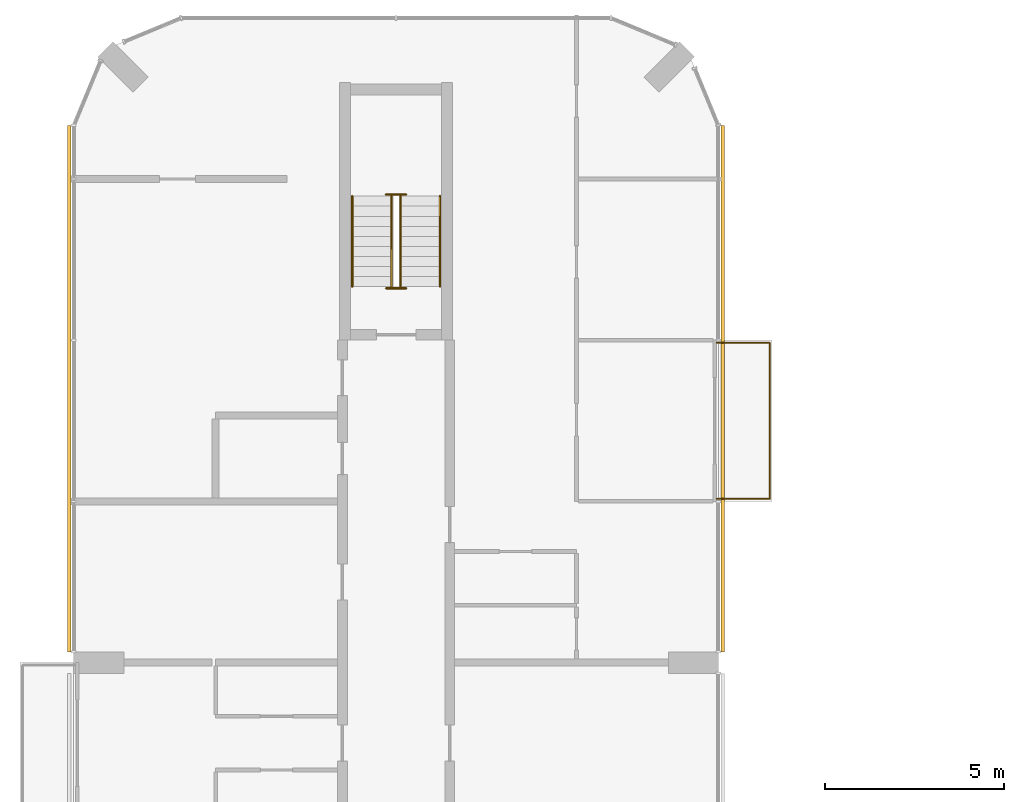
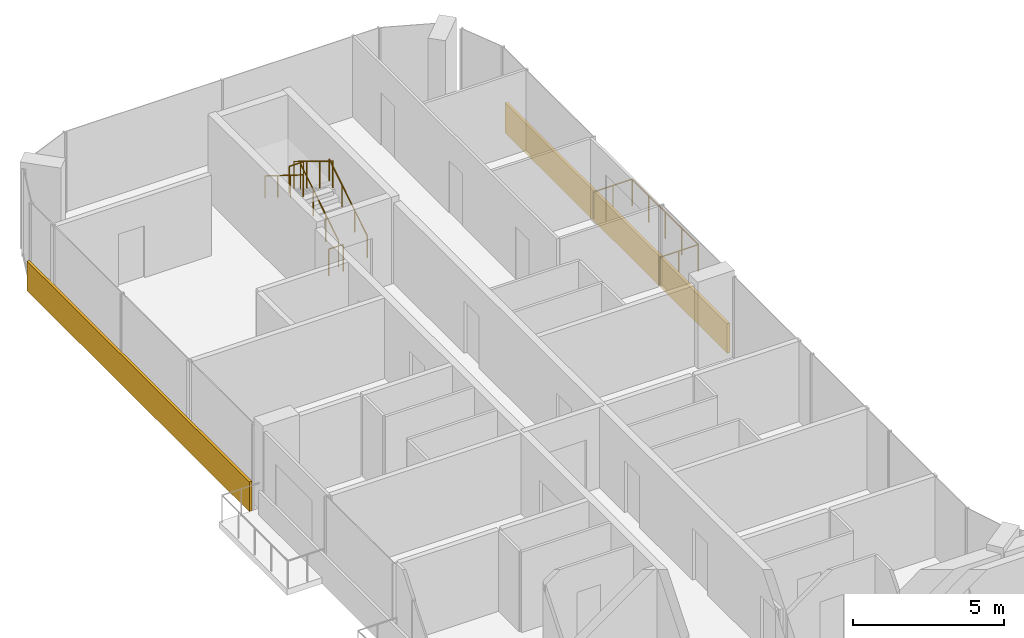
# One storey, part 16 of 16: 7 railings, 2 coverings.
"""IFC4 building model written with IfcOpenShell, lengths in metres."""

from ifc_helpers import new_model, si_unit, direction, frame, origin, origin_2d, place, context, subcontext, project, spatial, rectangle, circle, extrude, material, layer, layer_set, type_object, element, save


model = new_model("IFC4")

# Units and contexts
model_context = context("Model", 3, precision=1e-05, world=origin(), true_north=direction((0.0, 1.0)))
body_context = subcontext(model_context, "Body", "Model", "MODEL_VIEW")
ifc_project = project(units=[si_unit("LENGTHUNIT", "METRE"), si_unit("AREAUNIT", "SQUARE_METRE"), si_unit("VOLUMEUNIT", "CUBIC_METRE"), si_unit("PLANEANGLEUNIT", "RADIAN"), si_unit("MASSUNIT", "GRAM", prefix="KILO")], contexts=[model_context])

# Site, building, storey
site_placement = place(None, origin())
site = spatial("IfcSite", under=ifc_project, at=site_placement, CompositionType="ELEMENT")
building_placement = place(site_placement, origin())
building = spatial("IfcBuilding", under=site, at=building_placement, Name="Plateau Cross Towers", CompositionType="ELEMENT")
storey_placement = place(building_placement, frame((0.0, 0.0, 211.89990234375)))
storey = spatial("IfcBuildingStorey", under=building, at=storey_placement, Name="L55", CompositionType="ELEMENT", Elevation=211.89990234375)

# Railings
ifc_material_1 = material(Name="Stainless steel and toughened glass", Category="steel")
railing_type_1 = type_object("IfcRailingType", Name="Glass balustrade guard 1100", PredefinedType="GUARDRAIL", material=ifc_material_1)
railing_1_placement = place(storey_placement, frame((17.949951171875, 44.929931640625, 0.0)))
element("IfcRailing", 1, at=railing_1_placement, inside=storey, type_object=railing_type_1, Name="Guard guard1", PredefinedType="GUARDRAIL", context=body_context, shape_type="SweptSolid", body=[
    extrude(circle(Radius=0.02392578125, at=origin_2d()), frame((0.0, 0.0, 1.076171875), z_axis=(1.0, 0.0, 0.0), x_axis=(0.0, 1.0, 0.0)), (0.0, 0.0, 1.0), 1.47998046875),
    extrude(circle(Radius=0.02392578125, at=origin_2d()), frame((1.47998046875, 0.0, 1.076171875), z_axis=(0.0, -1.0, 0.0), x_axis=(1.0, 0.0, 0.0)), (0.0, 0.0, 1.0), 4.35986328125),
    extrude(circle(Radius=0.02392578125, at=origin_2d()), frame((1.47998046875, -4.35986328125, 1.076171875), z_axis=(-1.0, 0.0, 0.0), x_axis=(0.0, -1.0, 0.0)), (0.0, 0.0, 1.0), 1.47998046875),
    extrude(circle(Radius=0.02099609375, at=origin_2d()), origin(), (0.0, 0.0, 1.0), 1.052001953125),
    extrude(circle(Radius=0.02099609375, at=origin_2d()), frame((0.739990234375, 0.0, 0.0)), (0.0, 0.0, 1.0), 1.052001953125),
    extrude(circle(Radius=0.02099609375, at=origin_2d()), frame((1.47998046875, 0.0, 0.0)), (0.0, 0.0, 1.0), 1.052001953125),
    extrude(circle(Radius=0.02099609375, at=origin_2d()), frame((1.47998046875, -1.08984375, 0.0)), (0.0, 0.0, 1.0), 1.052001953125),
    extrude(circle(Radius=0.02099609375, at=origin_2d()), frame((1.47998046875, -2.179931640625, 0.0)), (0.0, 0.0, 1.0), 1.052001953125),
    extrude(circle(Radius=0.02099609375, at=origin_2d()), frame((1.47998046875, -3.27001953125, 0.0)), (0.0, 0.0, 1.0), 1.052001953125),
    extrude(circle(Radius=0.02099609375, at=origin_2d()), frame((1.47998046875, -4.35986328125, 0.0)), (0.0, 0.0, 1.0), 1.052001953125),
    extrude(circle(Radius=0.02099609375, at=origin_2d()), frame((0.739990234375, -4.35986328125, 0.0)), (0.0, 0.0, 1.0), 1.052001953125),
    extrude(circle(Radius=0.02099609375, at=origin_2d()), frame((0.0, -4.35986328125, 0.0)), (0.0, 0.0, 1.0), 1.052001953125),
])
railing_type_2 = type_object("IfcRailingType", Name="RL-GUARD-1100", PredefinedType="GUARDRAIL", material=ifc_material_1)
railing_2_placement = place(storey_placement, frame((9.125, 46.5, 0.175048828125)))
element("IfcRailing", 2, at=railing_2_placement, inside=storey, type_object=railing_type_2, Name="L55 ES-N stair guard 1", PredefinedType="GUARDRAIL", context=body_context, shape_type="SweptSolid", body=[
    extrude(circle(Radius=0.02392578125, at=origin_2d()), frame((0.0, 0.0, 1.076171875), z_axis=(0.0, 0.848007534815, 0.529984170421), x_axis=(-1.0, 0.0, 0.0)), (0.0, 0.0, 1.0), 2.9716796875),
    extrude(circle(Radius=0.02099609375, at=origin_2d()), origin(), (0.0, 0.0, 1.0), 1.052001953125),
    extrude(circle(Radius=0.02099609375, at=origin_2d()), frame((0.0, 0.840087890625, 0.52490234375)), (0.0, 0.0, 1.0), 1.052001953125),
    extrude(circle(Radius=0.02099609375, at=origin_2d()), frame((0.0, 1.679931640625, 1.050048828125)), (0.0, 0.0, 1.0), 1.052001953125),
    extrude(circle(Radius=0.02099609375, at=origin_2d()), frame((0.0, 2.52001953125, 1.574951171875)), (0.0, 0.0, 1.0), 1.052001953125),
])
railing_3_placement = place(storey_placement, frame((9.27490234375, 49.070068359375, 1.75)))
element("IfcRailing", 3, at=railing_3_placement, inside=storey, type_object=railing_type_2, Name="L55 ES-N stair guard 2", PredefinedType="GUARDRAIL", context=body_context, shape_type="SweptSolid", body=[
    extrude(circle(Radius=0.02392578125, at=origin_2d()), frame((0.0, 0.0, 1.076171875), z_axis=(-1.0, 0.0, 0.0), x_axis=(0.0, -1.0, 0.0)), (0.0, 0.0, 1.0), 0.5498046875),
    extrude(circle(Radius=0.02099609375, at=origin_2d()), origin(), (0.0, 0.0, 1.0), 1.052001953125),
    extrude(circle(Radius=0.02099609375, at=origin_2d()), frame((-0.5498046875, 0.0, 0.0)), (0.0, 0.0, 1.0), 1.052001953125),
])
railing_4_placement = place(storey_placement, frame((8.875, 49.02001953125, 1.925048828125)))
element("IfcRailing", 4, at=railing_4_placement, inside=storey, type_object=railing_type_2, Name="L55 ES-N stair guard 3", PredefinedType="GUARDRAIL", context=body_context, shape_type="SweptSolid", body=[
    extrude(circle(Radius=0.02392578125, at=origin_2d()), frame((0.0, 0.0, 1.076171875), z_axis=(0.0, -0.852638500773, 0.522501279423), x_axis=(1.0, 0.0, 0.0)), (0.0, 0.0, 1.0), 3.01416015625),
    extrude(circle(Radius=0.02099609375, at=origin_2d()), origin(), (0.0, 0.0, 1.0), 1.052001953125),
    extrude(circle(Radius=0.02099609375, at=origin_2d()), frame((0.0, -0.856689453125, 0.52490234375)), (0.0, 0.0, 1.0), 1.052001953125),
    extrude(circle(Radius=0.02099609375, at=origin_2d()), frame((0.0, -1.71337890625, 1.050048828125)), (0.0, 0.0, 1.0), 1.052001953125),
    extrude(circle(Radius=0.02099609375, at=origin_2d()), frame((0.0, -2.570068359375, 1.574951171875)), (0.0, 0.0, 1.0), 1.052001953125),
])
railing_5_placement = place(storey_placement, frame((9.27490234375, 46.449951171875, 0.0)))
element("IfcRailing", 5, at=railing_5_placement, inside=storey, type_object=railing_type_2, Name="L55 ES-N stair guard 4", PredefinedType="GUARDRAIL", context=body_context, shape_type="SweptSolid", body=[
    extrude(circle(Radius=0.02392578125, at=origin_2d()), frame((0.0, 0.0, 1.076171875), z_axis=(-1.0, 0.0, 0.0), x_axis=(0.0, -1.0, 0.0)), (0.0, 0.0, 1.0), 0.5498046875),
    extrude(circle(Radius=0.02099609375, at=origin_2d()), origin(), (0.0, 0.0, 1.0), 1.052001953125),
    extrude(circle(Radius=0.02099609375, at=origin_2d()), frame((-0.5498046875, 0.0, 0.0)), (0.0, 0.0, 1.0), 1.052001953125),
])
ifc_material_2 = material(Name="Black anodised aluminium", Category="aluminium")
railing_type_3 = type_object("IfcRailingType", Name="RL-HANDRAIL-900", PredefinedType="HANDRAIL", material=ifc_material_2)
railing_6_placement = place(storey_placement, frame((10.22509765625, 46.5, 0.175048828125)))
element("IfcRailing", 6, at=railing_6_placement, inside=storey, type_object=railing_type_3, Name="L55 ES-N stair handrail 1", PredefinedType="HANDRAIL", context=body_context, shape_type="SweptSolid", body=[
    extrude(circle(Radius=0.02392578125, at=origin_2d()), frame((0.0, 0.0, 0.8759765625), z_axis=(0.0, 0.848007534815, 0.529984170421), x_axis=(-1.0, 0.0, 0.0)), (0.0, 0.0, 1.0), 2.9716796875),
    extrude(circle(Radius=0.02099609375, at=origin_2d()), origin(), (0.0, 0.0, 1.0), 0.851806640625),
    extrude(circle(Radius=0.02099609375, at=origin_2d()), frame((0.0, 0.840087890625, 0.52490234375)), (0.0, 0.0, 1.0), 0.851806640625),
    extrude(circle(Radius=0.02099609375, at=origin_2d()), frame((0.0, 1.679931640625, 1.050048828125)), (0.0, 0.0, 1.0), 0.851806640625),
    extrude(circle(Radius=0.02099609375, at=origin_2d()), frame((0.0, 2.52001953125, 1.574951171875)), (0.0, 0.0, 1.0), 0.851806640625),
])
railing_7_placement = place(storey_placement, frame((7.77490234375, 49.02001953125, 1.925048828125)))
element("IfcRailing", 7, at=railing_7_placement, inside=storey, type_object=railing_type_3, Name="L55 ES-N stair handrail 2", PredefinedType="HANDRAIL", context=body_context, shape_type="SweptSolid", body=[
    extrude(circle(Radius=0.02392578125, at=origin_2d()), frame((0.0, 0.0, 0.8759765625), z_axis=(0.0, -0.848007534815, 0.529984170421), x_axis=(1.0, 0.0, 0.0)), (0.0, 0.0, 1.0), 2.9716796875),
    extrude(circle(Radius=0.02099609375, at=origin_2d()), origin(), (0.0, 0.0, 1.0), 0.851806640625),
    extrude(circle(Radius=0.02099609375, at=origin_2d()), frame((0.0, -0.840087890625, 0.52490234375)), (0.0, 0.0, 1.0), 0.851806640625),
    extrude(circle(Radius=0.02099609375, at=origin_2d()), frame((0.0, -1.679931640625, 1.050048828125)), (0.0, 0.0, 1.0), 0.851806640625),
    extrude(circle(Radius=0.02099609375, at=origin_2d()), frame((0.0, -2.52001953125, 1.574951171875)), (0.0, 0.0, 1.0), 0.851806640625),
])

# Coverings
ifc_material_3 = material(Name="Precast concrete cladding C40/50", Category="concrete")
ifc_layer = layer(ifc_material_3, 0.10009765625)
ifc_layer_set = layer_set([ifc_layer], Name="Precast concrete cladding C40/50")
covering_type = type_object("IfcCoveringType", Name="Spandrel band cladding 100x1200", PredefinedType="CLADDING", material=ifc_layer_set)
for number, where, z_axis, x_axis, name in (
    (8, (18.1201171875, 43.64990234375, -0.25), (0.0, 0.0, 1.0), (0.0, 1.0, 0.0), "Spandrel band"),
    (9, (-0.1201171875, 43.64990234375, -0.25), (0.0, 0.0, 1.0), (0.0, -1.0, 0.0), "Spandrel band"),
):
    element("IfcCovering", number, at=place(storey_placement, frame(where, z_axis=z_axis, x_axis=x_axis)), inside=storey, type_object=covering_type, Name=name, PredefinedType="CLADDING", context=body_context, shape_type="SweptSolid", body=[
        extrude(rectangle(XDim=14.699951171875, YDim=0.10009765625, at=origin_2d()), origin(), (0.0, 0.0, 1.0), 1.199951171875),
    ])

save(model, "model.ifc")
